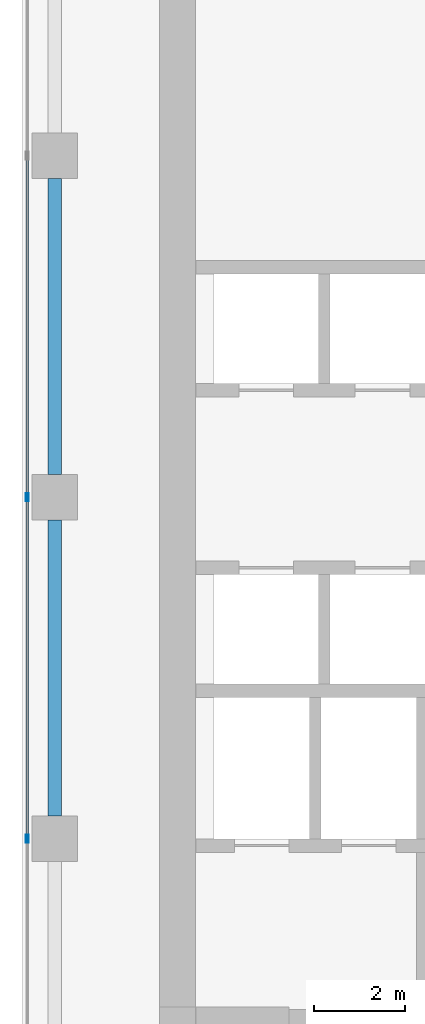
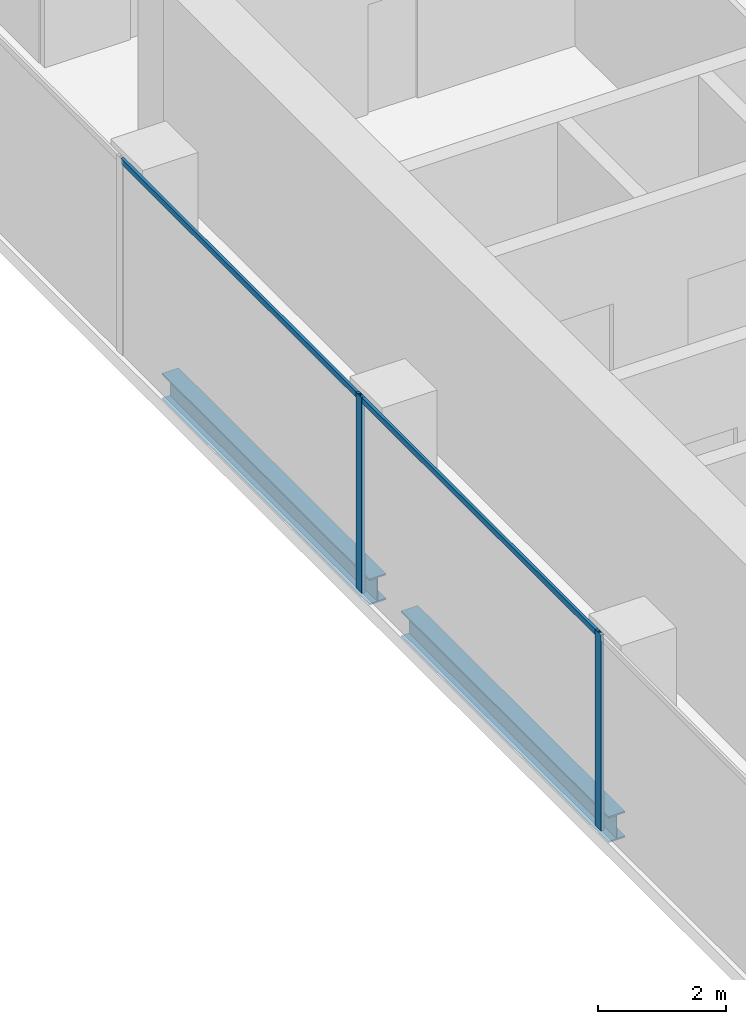
# One storey, part 6 of 38: 4 members, 2 beams, 1 element without a shape of its own.
"""IFC4 building model written with IfcOpenShell, lengths in metres."""

from ifc_helpers import new_model, si_unit, direction, frame, origin, origin_2d, place, context, subcontext, project, spatial, hollow_rectangle, i_section, extrude, source, transform, mapped, material, material_profile, profile_set, type_object, element, aggregate, save


model = new_model("IFC4")

# Units and contexts
model_context = context("Model", 3, precision=1e-05, world=origin(), true_north=direction((0.0, 1.0)))
body_context = subcontext(model_context, "Body", "Model", "MODEL_VIEW")
ifc_project = project(units=[si_unit("LENGTHUNIT", "METRE"), si_unit("AREAUNIT", "SQUARE_METRE"), si_unit("VOLUMEUNIT", "CUBIC_METRE"), si_unit("PLANEANGLEUNIT", "RADIAN"), si_unit("MASSUNIT", "GRAM", prefix="KILO")], contexts=[model_context])

# Site, building, storey
site_placement = place(None, origin())
site = spatial("IfcSite", under=ifc_project, at=site_placement, CompositionType="ELEMENT")
building_placement = place(site_placement, origin())
building = spatial("IfcBuilding", under=site, at=building_placement, Name="Khomas Fold Tower", CompositionType="ELEMENT")
storey_placement = place(building_placement, frame((0.0, 0.0, 172.699951171875)))
storey = spatial("IfcBuildingStorey", under=building, at=storey_placement, Name="L37", CompositionType="ELEMENT", Elevation=172.699951171875)

# Beams
ifc_material_1 = material(Name="Steel S355", Category="steel")
ifc_material_profile_1 = material_profile(ifc_material_1, i_section(OverallWidth=0.300048828125, OverallDepth=0.5, WebThickness=0.014404296875, FlangeThickness=0.028076171875, at=origin_2d()), Name="HE 500 B")
ifc_profile_set_1 = profile_set([ifc_material_profile_1], Name="Steel S355")
beam_type = type_object("IfcBeamType", Name="HE 500 B spandrel SB3", PredefinedType="SPANDREL", material=ifc_profile_set_1)
shared_shape_1 = source(origin(), body_context, "Body", "SweptSolid", [
    extrude(i_section(OverallWidth=0.300048828125, OverallDepth=0.5, WebThickness=0.014404296875, FlangeThickness=0.028076171875, at=origin_2d()), origin(), (0.0, 0.0, 1.0), 6.5),
])
for number, where, z_axis, x_axis, name in (
    (1, (3.699951171875, 27.5, -0.5), (0.0, 1.0, 0.0), (-1.0, 0.0, 0.0), "SB3"),
    (2, (3.699951171875, 20.0, -0.5), (0.0, 1.0, 0.0), (-1.0, 0.0, 0.0), "SB3"),
):
    element("IfcBeam", number, at=place(storey_placement, frame(where, z_axis=z_axis, x_axis=x_axis)), inside=storey, type_object=beam_type, Name=name, PredefinedType="SPANDREL", context=body_context, shape_type="MappedRepresentation", body=[
        mapped(shared_shape_1, transform((0.0, 0.0, 0.0))),
    ])

# Curtain wall, members
ifc_material_2 = material(Name="Aluminium framed double glazing", Category="aluminium")
curtain_wall_type = type_object("IfcCurtainWallType", Name="SK-Unitised clear-glass wall, office floors CW2", PredefinedType="NOTDEFINED", material=ifc_material_2)
curtain_wall_placement = place(storey_placement, origin())
curtain_wall = element("IfcCurtainWall", 3, at=curtain_wall_placement, inside=storey, type_object=curtain_wall_type, Name="CW2 run L37 18-0", PredefinedType="NOTDEFINED")
ifc_material_3 = material(Name="Aluminium", Category="aluminium")
ifc_material_profile_2 = material_profile(ifc_material_3, hollow_rectangle(XDim=0.06005859375, YDim=0.179931640625, WallThickness=0.00390625, at=origin_2d()), Name="SK-Unitised clear-glass wall, office floors mullion CW2-M")
ifc_profile_set_2 = profile_set([ifc_material_profile_2], Name="Aluminium")
member_type_1 = type_object("IfcMemberType", Name="SK-Unitised clear-glass wall, office floors mullion CW2-M", PredefinedType="MULLION", material=ifc_profile_set_2)
shared_shape_2 = source(origin(), body_context, "Body", "SweptSolid", [
    extrude(hollow_rectangle(XDim=0.06005859375, YDim=0.179931640625, WallThickness=0.00390625, at=origin_2d()), origin(), (0.0, 0.0, 1.0), 3.75),
])
member_1_placement = place(storey_placement, frame((3.10009765625, 27.0, 0.0), z_axis=(0.0, 0.0, 1.0), x_axis=(1.0, 0.0, 0.0)))
member_1 = element("IfcMember", 4, at=member_1_placement, type_object=member_type_1, Name="CW2 mullion 5", PredefinedType="MULLION", context=body_context, shape_type="MappedRepresentation", body=[
    mapped(shared_shape_2, transform((0.0, 0.0, 0.0))),
])
member_2_placement = place(storey_placement, frame((3.10009765625, 19.5, 0.0), z_axis=(0.0, 0.0, 1.0), x_axis=(1.0, 0.0, 0.0)))
member_2 = element("IfcMember", 5, at=member_2_placement, type_object=member_type_1, Name="CW2 mullion 6", PredefinedType="MULLION", context=body_context, shape_type="MappedRepresentation", body=[
    mapped(shared_shape_2, transform((0.0, 0.0, 0.0))),
])
ifc_material_4 = material(Name="Aluminium", Category="aluminium")
ifc_material_profile_3 = material_profile(ifc_material_4, hollow_rectangle(XDim=0.050048828125, YDim=0.110107421875, WallThickness=0.00390625, at=origin_2d()), Name="SK-Unitised clear-glass wall, office floors transom CW2-T")
ifc_profile_set_3 = profile_set([ifc_material_profile_3], Name="Aluminium")
member_type_2 = type_object("IfcMemberType", Name="SK-Unitised clear-glass wall, office floors transom CW2-T", PredefinedType="USERDEFINED", material=ifc_profile_set_3)
shared_shape_3 = source(origin(), body_context, "Body", "SweptSolid", [
    extrude(hollow_rectangle(XDim=0.050048828125, YDim=0.110107421875, WallThickness=0.00390625, at=origin_2d()), origin(), (0.0, 0.0, 1.0), 7.43994140625),
])
member_3_placement = place(storey_placement, frame((3.10009765625, 34.469970703125, 3.695068359375), z_axis=(0.0, -1.0, 0.0), x_axis=(1.0, 0.0, 0.0)))
member_3 = element("IfcMember", 6, at=member_3_placement, type_object=member_type_2, Name="CW2 transom 4", ObjectType="TRANSOM", PredefinedType="USERDEFINED", context=body_context, shape_type="MappedRepresentation", body=[
    mapped(shared_shape_3, transform((0.0, 0.0, 0.0))),
])
member_4_placement = place(storey_placement, frame((3.10009765625, 26.969970703125, 3.695068359375), z_axis=(0.0, -1.0, 0.0), x_axis=(1.0, 0.0, 0.0)))
member_4 = element("IfcMember", 7, at=member_4_placement, type_object=member_type_2, Name="CW2 transom 5", ObjectType="TRANSOM", PredefinedType="USERDEFINED", context=body_context, shape_type="MappedRepresentation", body=[
    mapped(shared_shape_3, transform((0.0, 0.0, 0.0))),
])
aggregate(curtain_wall, [member_1, member_2, member_3, member_4])

save(model, "model.ifc")
